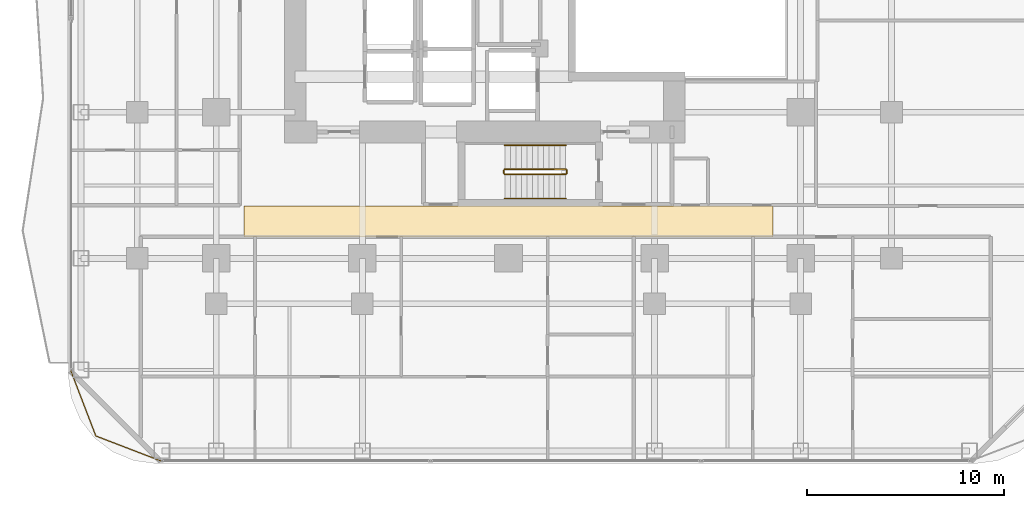
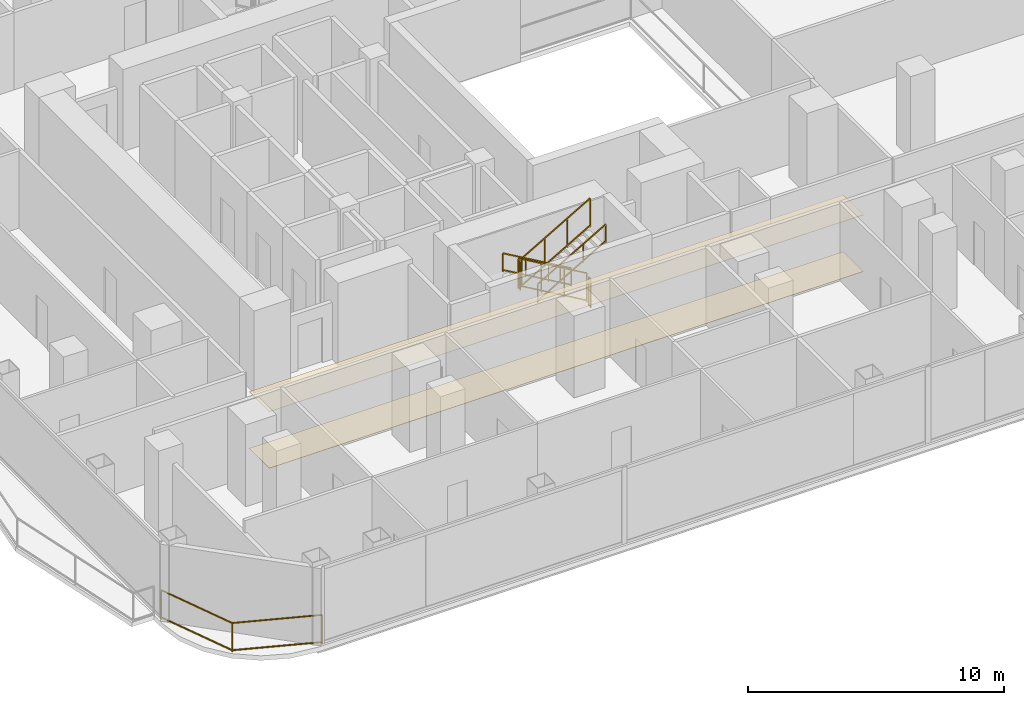
# One storey, part 25 of 27: 7 railings, 2 coverings.
"""IFC4 building model written with IfcOpenShell, lengths in metres."""

from ifc_helpers import new_model, si_unit, direction, frame, origin, origin_2d, place, context, subcontext, project, spatial, polyline, rectangle, outline, extrude, material, layer, layer_set, type_object, element, save


model = new_model("IFC4")

# Units and contexts
model_context = context("Model", 3, precision=1e-05, world=origin(), true_north=direction((0.0, 1.0)))
body_context = subcontext(model_context, "Body", "Model", "MODEL_VIEW")
ifc_project = project(units=[si_unit("LENGTHUNIT", "METRE"), si_unit("AREAUNIT", "SQUARE_METRE"), si_unit("VOLUMEUNIT", "CUBIC_METRE"), si_unit("PLANEANGLEUNIT", "RADIAN"), si_unit("MASSUNIT", "GRAM", prefix="KILO")], contexts=[model_context])

# Site, building, storey
site_placement = place(None, origin())
site = spatial("IfcSite", under=ifc_project, at=site_placement, CompositionType="ELEMENT")
building_placement = place(site_placement, origin())
building = spatial("IfcBuilding", under=site, at=building_placement, Name="Khorvyn Point Tower", CompositionType="ELEMENT")
storey_placement = place(building_placement, frame((0.0, 0.0, 42.300048828125)))
storey = spatial("IfcBuildingStorey", under=building, at=storey_placement, Name="L11", CompositionType="ELEMENT", Elevation=42.300048828125)

# Railing
ifc_material_1 = material(Name="Anodised aluminium 6063-T6 and laminated safety glass", Category="aluminium")
railing_type_1 = type_object("IfcRailingType", Name="Laminated Glass and Aluminium Balcony Guardrail 1400", PredefinedType="BALUSTRADE", material=ifc_material_1)
railing_1_placement = place(storey_placement, frame((-22.174072265625, -20.470703125, 0.0)))
element("IfcRailing", 1, at=railing_1_placement, inside=storey, type_object=railing_type_1, Name="L11 Rounded Corner Edge Guardrail SW", PredefinedType="BALUSTRADE", context=body_context, shape_type="SweptSolid", body=[
    extrude(rectangle(XDim=0.048095703125, YDim=0.048095703125, at=origin_2d()), frame((0.0, 0.0, 1.3759765625), z_axis=(0.358359142172, -0.933583807283, 0.0), x_axis=(0.933583807283, 0.358359142172, 0.0)), (0.0, 0.0, 1.0), 3.56298828125),
    extrude(rectangle(XDim=0.048095703125, YDim=0.048095703125, at=origin_2d()), frame((0.0, 0.0, 0.080078125), z_axis=(0.358359142172, -0.933583807283, 0.0), x_axis=(0.933583807283, 0.358359142172, 0.0)), (0.0, 0.0, 1.0), 3.56298828125),
    extrude(rectangle(XDim=0.048095703125, YDim=0.048095703125, at=origin_2d()), frame((1.27685546875, -3.326416015625, 1.3759765625), z_axis=(0.933583807283, -0.358359142172, 0.0), x_axis=(0.358359142172, 0.933583807283, 0.0)), (0.0, 0.0, 1.0), 3.56298828125),
    extrude(rectangle(XDim=0.048095703125, YDim=0.048095703125, at=origin_2d()), frame((1.27685546875, -3.326416015625, 0.080078125), z_axis=(0.933583807283, -0.358359142172, 0.0), x_axis=(0.358359142172, 0.933583807283, 0.0)), (0.0, 0.0, 1.0), 3.56298828125),
    extrude(rectangle(XDim=0.0419921875, YDim=0.0419921875, at=origin_2d()), origin(), (0.0, 0.0, 1.0), 1.351806640625),
    extrude(rectangle(XDim=0.0419921875, YDim=0.0419921875, at=origin_2d()), frame((1.27685546875, -3.326416015625, 0.0)), (0.0, 0.0, 1.0), 1.351806640625),
    extrude(rectangle(XDim=0.0419921875, YDim=0.0419921875, at=origin_2d()), frame((4.603271484375, -4.603271484375, 0.0)), (0.0, 0.0, 1.0), 1.351806640625),
])

# Coverings
ifc_material_2 = material(Name="Mineral-fibre acoustic ceiling board", Category="gypsum")
ifc_layer_1 = layer(ifc_material_2, 0.02001953125)
ifc_layer_set_1 = layer_set([ifc_layer_1], Name="Perforated Mineral-Fibre Acoustic Suspended Ceiling 20")
covering_type_1 = type_object("IfcCoveringType", Name="Perforated Mineral-Fibre Acoustic Suspended Ceiling 20", PredefinedType="CEILING", material=ifc_layer_set_1)
covering_1_placement = place(storey_placement, frame((0.0, 0.0, 2.699951171875)))
element("IfcCovering", 2, at=covering_1_placement, inside=storey, type_object=covering_type_1, Name="L11 South Corridor Acoustic Ceiling", PredefinedType="CEILING", context=body_context, shape_type="SweptSolid", body=[
    extrude(outline(polyline([(-13.39990234375, -13.7099609375), (13.39990234375, -13.7099609375), (13.39990234375, -12.139892578125), (-13.39990234375, -12.139892578125), (-13.39990234375, -13.7099609375)])), origin(), (0.0, 0.0, 1.0), 0.02001953125),
])
ifc_material_3 = material(Name="Vitrified porcelain terrazzo tile", Category="ceramic")
ifc_layer_2 = layer(ifc_material_3, 0.01806640625)
ifc_layer_set_2 = layer_set([ifc_layer_2], Name="Porcelain Terrazzo Corridor Floor Finish Tile 18")
covering_type_2 = type_object("IfcCoveringType", Name="Porcelain Terrazzo Corridor Floor Finish Tile 18", PredefinedType="FLOORING", material=ifc_layer_set_2)
covering_2_placement = place(storey_placement, origin())
element("IfcCovering", 3, at=covering_2_placement, inside=storey, type_object=covering_type_2, Name="L11 South Corridor Terrazzo Flooring", PredefinedType="FLOORING", context=body_context, shape_type="SweptSolid", body=[
    extrude(outline(polyline([(-13.39990234375, -13.7099609375), (13.39990234375, -13.7099609375), (13.39990234375, -12.139892578125), (-13.39990234375, -12.139892578125), (-13.39990234375, -13.7099609375)])), origin(), (0.0, 0.0, 1.0), 0.01806640625),
])

# Railings
ifc_material_4 = material(Name="Stainless steel 1.4301", Category="steel")
railing_type_2 = type_object("IfcRailingType", Name="Stainless Steel 304 Stair Pitch Handrail 900", PredefinedType="HANDRAIL", material=ifc_material_4)
railing_2_placement = place(storey_placement, frame((2.89990234375, -9.070068359375, 0.162353515625)))
element("IfcRailing", 4, at=railing_2_placement, inside=storey, type_object=railing_type_2, Name="L11 ST-01 stair handrail 1", PredefinedType="HANDRAIL", context=body_context, shape_type="SweptSolid", body=[
    extrude(rectangle(XDim=0.048095703125, YDim=0.048095703125, at=origin_2d()), frame((0.0, 0.0, 0.8759765625), z_axis=(-0.864873446163, 0.0, 0.501989962173), x_axis=(0.0, -1.0, 0.0)), (0.0, 0.0, 1.0), 3.56103515625),
    extrude(rectangle(XDim=0.048095703125, YDim=0.048095703125, at=origin_2d()), frame((0.0, 0.0, 0.080078125), z_axis=(-0.864873446163, 0.0, 0.501989962173), x_axis=(0.0, -1.0, 0.0)), (0.0, 0.0, 1.0), 3.56103515625),
    extrude(rectangle(XDim=0.0419921875, YDim=0.0419921875, at=origin_2d()), origin(), (0.0, 0.0, 1.0), 0.851806640625),
    extrude(rectangle(XDim=0.0419921875, YDim=0.0419921875, at=origin_2d()), frame((-1.026611328125, 0.0, 0.595947265625)), (0.0, 0.0, 1.0), 0.851806640625),
    extrude(rectangle(XDim=0.0419921875, YDim=0.0419921875, at=origin_2d()), frame((-2.05322265625, 0.0, 1.191650390625)), (0.0, 0.0, 1.0), 0.851806640625),
    extrude(rectangle(XDim=0.0419921875, YDim=0.0419921875, at=origin_2d()), frame((-3.079833984375, 0.0, 1.78759765625)), (0.0, 0.0, 1.0), 0.851806640625),
])
railing_3_placement = place(storey_placement, frame((-0.179931640625, -11.77001953125, 2.112548828125)))
element("IfcRailing", 5, at=railing_3_placement, inside=storey, type_object=railing_type_2, Name="L11 ST-01 stair handrail 2", PredefinedType="HANDRAIL", context=body_context, shape_type="SweptSolid", body=[
    extrude(rectangle(XDim=0.048095703125, YDim=0.048095703125, at=origin_2d()), frame((0.0, 0.0, 0.8759765625), z_axis=(0.864903211148, 0.0, 0.501938676878), x_axis=(0.0, 1.0, 0.0)), (0.0, 0.0, 1.0), 3.560791015625),
    extrude(rectangle(XDim=0.048095703125, YDim=0.048095703125, at=origin_2d()), frame((0.0, 0.0, 0.080078125), z_axis=(0.864903211148, 0.0, 0.501938676878), x_axis=(0.0, 1.0, 0.0)), (0.0, 0.0, 1.0), 3.560791015625),
    extrude(rectangle(XDim=0.0419921875, YDim=0.0419921875, at=origin_2d()), origin(), (0.0, 0.0, 1.0), 0.851806640625),
    extrude(rectangle(XDim=0.0419921875, YDim=0.0419921875, at=origin_2d()), frame((1.026611328125, 0.0, 0.595703125)), (0.0, 0.0, 1.0), 0.851806640625),
    extrude(rectangle(XDim=0.0419921875, YDim=0.0419921875, at=origin_2d()), frame((2.05322265625, 0.0, 1.191650390625)), (0.0, 0.0, 1.0), 0.851806640625),
    extrude(rectangle(XDim=0.0419921875, YDim=0.0419921875, at=origin_2d()), frame((3.079833984375, 0.0, 1.787353515625)), (0.0, 0.0, 1.0), 0.851806640625),
])
railing_type_3 = type_object("IfcRailingType", Name="Stainless Steel 304 Stair Well Guardrail 1400", PredefinedType="GUARDRAIL", material=ifc_material_4)
railing_4_placement = place(storey_placement, frame((2.89990234375, -10.2900390625, 0.162353515625)))
element("IfcRailing", 6, at=railing_4_placement, inside=storey, type_object=railing_type_3, Name="L11 ST-01 stair guard 1", PredefinedType="GUARDRAIL", context=body_context, shape_type="SweptSolid", body=[
    extrude(rectangle(XDim=0.048095703125, YDim=0.048095703125, at=origin_2d()), frame((0.0, 0.0, 1.3759765625), z_axis=(-0.864873446163, 0.0, 0.501989962173), x_axis=(0.0, -1.0, 0.0)), (0.0, 0.0, 1.0), 3.56103515625),
    extrude(rectangle(XDim=0.048095703125, YDim=0.048095703125, at=origin_2d()), frame((0.0, 0.0, 0.080078125), z_axis=(-0.864873446163, 0.0, 0.501989962173), x_axis=(0.0, -1.0, 0.0)), (0.0, 0.0, 1.0), 3.56103515625),
    extrude(rectangle(XDim=0.0419921875, YDim=0.0419921875, at=origin_2d()), origin(), (0.0, 0.0, 1.0), 1.351806640625),
    extrude(rectangle(XDim=0.0419921875, YDim=0.0419921875, at=origin_2d()), frame((-1.026611328125, 0.0, 0.595947265625)), (0.0, 0.0, 1.0), 1.351806640625),
    extrude(rectangle(XDim=0.0419921875, YDim=0.0419921875, at=origin_2d()), frame((-2.05322265625, 0.0, 1.191650390625)), (0.0, 0.0, 1.0), 1.351806640625),
    extrude(rectangle(XDim=0.0419921875, YDim=0.0419921875, at=origin_2d()), frame((-3.079833984375, 0.0, 1.78759765625)), (0.0, 0.0, 1.0), 1.351806640625),
])
railing_5_placement = place(storey_placement, frame((-0.22998046875, -10.340087890625, 1.949951171875)))
element("IfcRailing", 7, at=railing_5_placement, inside=storey, type_object=railing_type_3, Name="L11 ST-01 stair guard 2", PredefinedType="GUARDRAIL", context=body_context, shape_type="SweptSolid", body=[
    extrude(rectangle(XDim=0.048095703125, YDim=0.048095703125, at=origin_2d()), frame((0.0, 0.0, 1.3759765625), z_axis=(0.0, -1.0, 0.0), x_axis=(1.0, 0.0, 0.0)), (0.0, 0.0, 1.0), 0.159912109375),
    extrude(rectangle(XDim=0.048095703125, YDim=0.048095703125, at=origin_2d()), frame((0.0, 0.0, 0.080078125), z_axis=(0.0, -1.0, 0.0), x_axis=(1.0, 0.0, 0.0)), (0.0, 0.0, 1.0), 0.159912109375),
    extrude(rectangle(XDim=0.0419921875, YDim=0.0419921875, at=origin_2d()), origin(), (0.0, 0.0, 1.0), 1.351806640625),
    extrude(rectangle(XDim=0.0419921875, YDim=0.0419921875, at=origin_2d()), frame((0.0, -0.159912109375, 0.0)), (0.0, 0.0, 1.0), 1.351806640625),
])
railing_6_placement = place(storey_placement, frame((-0.179931640625, -10.550048828125, 2.112548828125)))
element("IfcRailing", 8, at=railing_6_placement, inside=storey, type_object=railing_type_3, Name="L11 ST-01 stair guard 3", PredefinedType="GUARDRAIL", context=body_context, shape_type="SweptSolid", body=[
    extrude(rectangle(XDim=0.048095703125, YDim=0.048095703125, at=origin_2d()), frame((0.0, 0.0, 1.3759765625), z_axis=(0.864903211148, 0.0, 0.501938676878), x_axis=(0.0, 1.0, 0.0)), (0.0, 0.0, 1.0), 3.560791015625),
    extrude(rectangle(XDim=0.048095703125, YDim=0.048095703125, at=origin_2d()), frame((0.0, 0.0, 0.080078125), z_axis=(0.864903211148, 0.0, 0.501938676878), x_axis=(0.0, 1.0, 0.0)), (0.0, 0.0, 1.0), 3.560791015625),
    extrude(rectangle(XDim=0.0419921875, YDim=0.0419921875, at=origin_2d()), origin(), (0.0, 0.0, 1.0), 1.351806640625),
    extrude(rectangle(XDim=0.0419921875, YDim=0.0419921875, at=origin_2d()), frame((1.026611328125, 0.0, 0.595703125)), (0.0, 0.0, 1.0), 1.351806640625),
    extrude(rectangle(XDim=0.0419921875, YDim=0.0419921875, at=origin_2d()), frame((2.05322265625, 0.0, 1.191650390625)), (0.0, 0.0, 1.0), 1.351806640625),
    extrude(rectangle(XDim=0.0419921875, YDim=0.0419921875, at=origin_2d()), frame((3.079833984375, 0.0, 1.787353515625)), (0.0, 0.0, 1.0), 1.351806640625),
])
railing_7_placement = place(storey_placement, frame((2.949951171875, -10.340087890625, 0.0)))
element("IfcRailing", 9, at=railing_7_placement, inside=storey, type_object=railing_type_3, Name="L11 ST-01 stair guard 4", PredefinedType="GUARDRAIL", context=body_context, shape_type="SweptSolid", body=[
    extrude(rectangle(XDim=0.048095703125, YDim=0.048095703125, at=origin_2d()), frame((0.0, 0.0, 1.3759765625), z_axis=(0.0, -1.0, 0.0), x_axis=(1.0, 0.0, 0.0)), (0.0, 0.0, 1.0), 0.159912109375),
    extrude(rectangle(XDim=0.048095703125, YDim=0.048095703125, at=origin_2d()), frame((0.0, 0.0, 0.080078125), z_axis=(0.0, -1.0, 0.0), x_axis=(1.0, 0.0, 0.0)), (0.0, 0.0, 1.0), 0.159912109375),
    extrude(rectangle(XDim=0.0419921875, YDim=0.0419921875, at=origin_2d()), origin(), (0.0, 0.0, 1.0), 1.351806640625),
    extrude(rectangle(XDim=0.0419921875, YDim=0.0419921875, at=origin_2d()), frame((0.0, -0.159912109375, 0.0)), (0.0, 0.0, 1.0), 1.351806640625),
])

save(model, "model.ifc")
